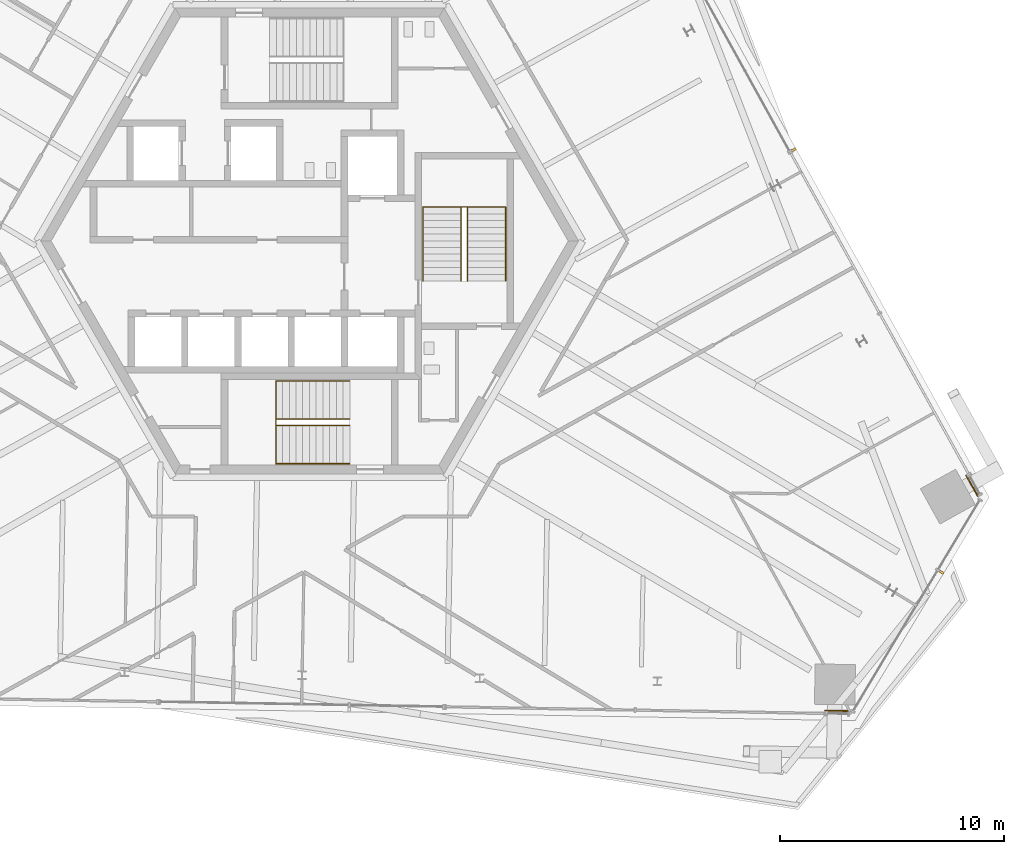
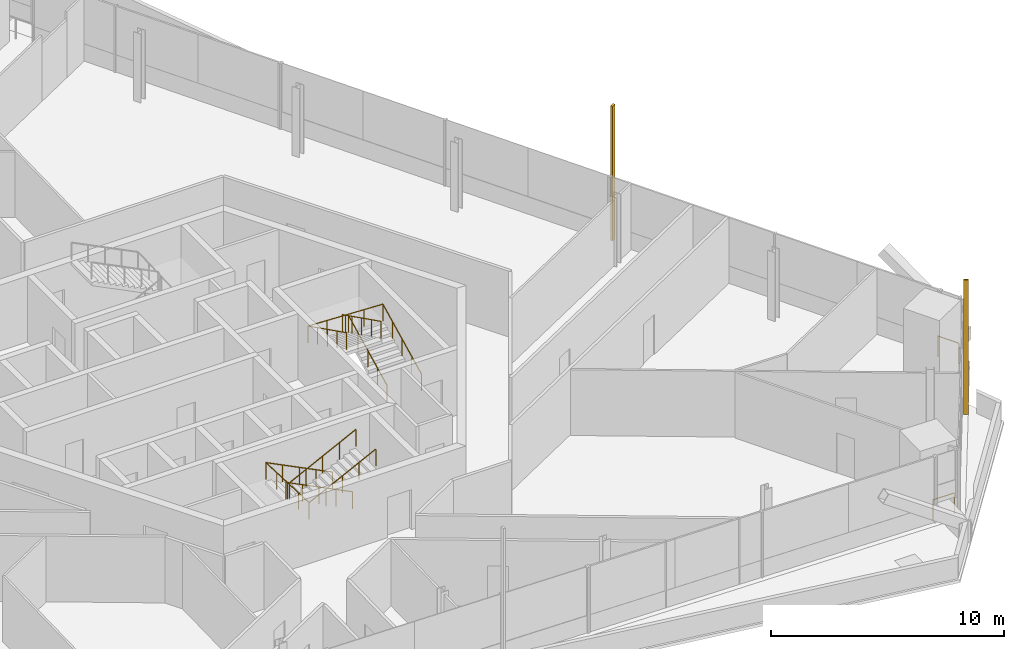
# One storey, part 20 of 22: 6 railings, 2 shading devices.
"""IFC4 building model written with IfcOpenShell, lengths in metres."""

from ifc_helpers import new_model, si_unit, direction, frame, origin, origin_2d, place, context, subcontext, project, spatial, rectangle, circle, extrude, source, transform, mapped, material, type_object, element, save


model = new_model("IFC4")

# Units and contexts
model_context = context("Model", 3, precision=1e-05, world=origin(), true_north=direction((0.0, 1.0)))
body_context = subcontext(model_context, "Body", "Model", "MODEL_VIEW")
ifc_project = project(units=[si_unit("LENGTHUNIT", "METRE"), si_unit("AREAUNIT", "SQUARE_METRE"), si_unit("VOLUMEUNIT", "CUBIC_METRE"), si_unit("PLANEANGLEUNIT", "RADIAN"), si_unit("MASSUNIT", "GRAM", prefix="KILO")], contexts=[model_context])

# Site, building, storey
site_placement = place(None, origin())
site = spatial("IfcSite", under=ifc_project, at=site_placement, CompositionType="ELEMENT")
building_placement = place(site_placement, origin())
building = spatial("IfcBuilding", under=site, at=building_placement, Name="Triune Harvest Tower", CompositionType="ELEMENT")
storey_placement = place(building_placement, frame((0.0, 0.0, 179.89990234375)))
storey = spatial("IfcBuildingStorey", under=building, at=storey_placement, Name="L46", CompositionType="ELEMENT", Elevation=179.89990234375)

# Railings
ifc_material_1 = material(Name="Glass", Category="glass")
railing_type_1 = type_object("IfcRailingType", Name="GD-3 facade guard 1100", PredefinedType="GUARDRAIL", material=ifc_material_1)
railing_1_placement = place(storey_placement, frame((29.808349609375, -11.381591796875, 0.0)))
element("IfcRailing", 1, at=railing_1_placement, inside=storey, type_object=railing_type_1, Name="Facade guard B5-F1 L46.1.1", PredefinedType="GUARDRAIL", context=body_context, shape_type="SweptSolid", body=[
    extrude(circle(Radius=0.02392578125, at=origin_2d()), frame((0.0, 0.0, 1.076171875), z_axis=(-0.48487046574, 0.874585977165, 0.0), x_axis=(-0.874585977165, -0.48487046574, 0.0)), (0.0, 0.0, 1.0), 1.046875),
    extrude(circle(Radius=0.02099609375, at=origin_2d()), origin(), (0.0, 0.0, 1.0), 1.052001953125),
    extrude(circle(Radius=0.02099609375, at=origin_2d()), frame((-0.507568359375, 0.91552734375, 0.0)), (0.0, 0.0, 1.0), 1.052001953125),
])
railing_2_placement = place(storey_placement, frame((22.996826171875, -20.95751953125, 0.0)))
element("IfcRailing", 2, at=railing_2_placement, inside=storey, type_object=railing_type_1, Name="Facade guard B5-F5 L46.1.2", PredefinedType="GUARDRAIL", context=body_context, shape_type="SweptSolid", body=[
    extrude(circle(Radius=0.02392578125, at=origin_2d()), frame((0.0, 0.0, 1.076171875), z_axis=(0.99984707329, -0.017487996851, 0.0), x_axis=(0.017487996851, 0.99984707329, 0.0)), (0.0, 0.0, 1.0), 1.047119140625),
    extrude(circle(Radius=0.02099609375, at=origin_2d()), origin(), (0.0, 0.0, 1.0), 1.052001953125),
    extrude(circle(Radius=0.02099609375, at=origin_2d()), frame((1.046875, -0.018310546875, 0.0)), (0.0, 0.0, 1.0), 1.052001953125),
])
ifc_material_2 = material(Name="Stainless steel AISI 316", Category="steel")
railing_type_2 = type_object("IfcRailingType", Name="Stair handrail", PredefinedType="HANDRAIL", material=ifc_material_2)
shared_shape_1 = source(origin(), body_context, "Body", "SweptSolid", [
    extrude(circle(Radius=0.02392578125, at=origin_2d()), frame((0.0, 0.0, 0.8759765625), z_axis=(-0.894440424912, 0.0, 0.447187126696), x_axis=(0.0, -1.0, 0.0)), (0.0, 0.0, 1.0), 3.689453125),
    extrude(circle(Radius=0.02392578125, at=origin_2d()), frame((-3.300048828125, 0.0, 2.52587890625), z_axis=(0.0, -0.999177620331, 0.040547293732), x_axis=(1.0, 0.0, 0.0)), (0.0, 0.0, 1.0), 3.702880859375),
    extrude(circle(Radius=0.02392578125, at=origin_2d()), frame((-3.300048828125, -3.699951171875, 2.67578125), z_axis=(0.894440424912, 0.0, 0.447187126696), x_axis=(0.0, 1.0, 0.0)), (0.0, 0.0, 1.0), 3.689453125),
    extrude(circle(Radius=0.02099609375, at=origin_2d()), origin(), (0.0, 0.0, 1.0), 0.851806640625),
    extrude(circle(Radius=0.02099609375, at=origin_2d()), frame((-0.824951171875, 0.0, 0.41259765625)), (0.0, 0.0, 1.0), 0.851806640625),
    extrude(circle(Radius=0.02099609375, at=origin_2d()), frame((-1.64990234375, 0.0, 0.824951171875)), (0.0, 0.0, 1.0), 0.851806640625),
    extrude(circle(Radius=0.02099609375, at=origin_2d()), frame((-2.47509765625, 0.0, 1.2373046875)), (0.0, 0.0, 1.0), 0.851806640625),
    extrude(circle(Radius=0.02099609375, at=origin_2d()), frame((-3.300048828125, 0.0, 1.64990234375)), (0.0, 0.0, 1.0), 0.851806640625),
    extrude(circle(Radius=0.02099609375, at=origin_2d()), frame((-3.300048828125, -0.925048828125, 1.6875)), (0.0, 0.0, 1.0), 0.851806640625),
    extrude(circle(Radius=0.02099609375, at=origin_2d()), frame((-3.300048828125, -1.85009765625, 1.72509765625)), (0.0, 0.0, 1.0), 0.851806640625),
    extrude(circle(Radius=0.02099609375, at=origin_2d()), frame((-3.300048828125, -2.77490234375, 1.762451171875)), (0.0, 0.0, 1.0), 0.851806640625),
    extrude(circle(Radius=0.02099609375, at=origin_2d()), frame((-3.300048828125, -3.699951171875, 1.800048828125)), (0.0, 0.0, 1.0), 0.851806640625),
    extrude(circle(Radius=0.02099609375, at=origin_2d()), frame((-2.47509765625, -3.699951171875, 2.21240234375)), (0.0, 0.0, 1.0), 0.851806640625),
    extrude(circle(Radius=0.02099609375, at=origin_2d()), frame((-1.64990234375, -3.699951171875, 2.625)), (0.0, 0.0, 1.0), 0.851806640625),
    extrude(circle(Radius=0.02099609375, at=origin_2d()), frame((-0.824951171875, -3.699951171875, 3.03759765625)), (0.0, 0.0, 1.0), 0.851806640625),
    extrude(circle(Radius=0.02099609375, at=origin_2d()), frame((0.0, -3.699951171875, 3.449951171875)), (0.0, 0.0, 1.0), 0.851806640625),
])
railing_3_placement = place(storey_placement, frame((1.7900390625, -6.239990234375, 0.150146484375)))
element("IfcRailing", 3, at=railing_3_placement, inside=storey, type_object=railing_type_2, Name="Exit stair south wall handrail", PredefinedType="HANDRAIL", context=body_context, shape_type="MappedRepresentation", body=[
    mapped(shared_shape_1, transform((0.0, 0.0, 0.0), scale=1.0)),
])
shared_shape_2 = source(origin(), body_context, "Body", "SweptSolid", [
    extrude(circle(Radius=0.02392578125, at=origin_2d()), frame((0.0, 0.0, 0.8759765625), z_axis=(-0.894440424912, 0.0, 0.447187126696), x_axis=(0.0, -1.0, 0.0)), (0.0, 0.0, 1.0), 3.689453125),
    extrude(circle(Radius=0.02392578125, at=origin_2d()), frame((-3.300048828125, 0.0, 2.52587890625), z_axis=(0.0, -0.894281613681, 0.447504631744), x_axis=(1.0, 0.0, 0.0)), (0.0, 0.0, 1.0), 0.33544921875),
    extrude(circle(Radius=0.02392578125, at=origin_2d()), frame((-3.300048828125, -0.300048828125, 2.67578125), z_axis=(0.894440424912, 0.0, 0.447187126696), x_axis=(0.0, 1.0, 0.0)), (0.0, 0.0, 1.0), 3.689453125),
    extrude(circle(Radius=0.02099609375, at=origin_2d()), origin(), (0.0, 0.0, 1.0), 0.851806640625),
    extrude(circle(Radius=0.02099609375, at=origin_2d()), frame((-0.824951171875, 0.0, 0.41259765625)), (0.0, 0.0, 1.0), 0.851806640625),
    extrude(circle(Radius=0.02099609375, at=origin_2d()), frame((-1.64990234375, 0.0, 0.824951171875)), (0.0, 0.0, 1.0), 0.851806640625),
    extrude(circle(Radius=0.02099609375, at=origin_2d()), frame((-2.47509765625, 0.0, 1.2373046875)), (0.0, 0.0, 1.0), 0.851806640625),
    extrude(circle(Radius=0.02099609375, at=origin_2d()), frame((-3.300048828125, 0.0, 1.64990234375)), (0.0, 0.0, 1.0), 0.851806640625),
    extrude(circle(Radius=0.02099609375, at=origin_2d()), frame((-3.300048828125, -0.300048828125, 1.800048828125)), (0.0, 0.0, 1.0), 0.851806640625),
    extrude(circle(Radius=0.02099609375, at=origin_2d()), frame((-2.47509765625, -0.300048828125, 2.21240234375)), (0.0, 0.0, 1.0), 0.851806640625),
    extrude(circle(Radius=0.02099609375, at=origin_2d()), frame((-1.64990234375, -0.300048828125, 2.625)), (0.0, 0.0, 1.0), 0.851806640625),
    extrude(circle(Radius=0.02099609375, at=origin_2d()), frame((-0.824951171875, -0.300048828125, 3.03759765625)), (0.0, 0.0, 1.0), 0.851806640625),
    extrude(circle(Radius=0.02099609375, at=origin_2d()), frame((0.0, -0.300048828125, 3.449951171875)), (0.0, 0.0, 1.0), 0.851806640625),
])
railing_4_placement = place(storey_placement, frame((1.7900390625, -7.93994140625, 0.150146484375)))
element("IfcRailing", 4, at=railing_4_placement, inside=storey, type_object=railing_type_2, Name="Exit stair south centre handrail", PredefinedType="HANDRAIL", context=body_context, shape_type="MappedRepresentation", body=[
    mapped(shared_shape_2, transform((0.0, 0.0, 0.0), scale=1.0)),
])
shared_shape_3 = source(origin(), body_context, "Body", "SweptSolid", [
    extrude(circle(Radius=0.02392578125, at=origin_2d()), frame((0.0, 0.0, 0.8759765625), z_axis=(0.0, 0.894440424912, 0.447187126696), x_axis=(-1.0, 0.0, 0.0)), (0.0, 0.0, 1.0), 3.689453125),
    extrude(circle(Radius=0.02392578125, at=origin_2d()), frame((0.0, 3.300048828125, 2.52587890625), z_axis=(-0.999177620331, 0.0, 0.040547293732), x_axis=(0.0, -1.0, 0.0)), (0.0, 0.0, 1.0), 3.702880859375),
    extrude(circle(Radius=0.02392578125, at=origin_2d()), frame((-3.699951171875, 3.300048828125, 2.67578125), z_axis=(0.0, -0.894440424912, 0.447187126696), x_axis=(1.0, 0.0, 0.0)), (0.0, 0.0, 1.0), 3.689453125),
    extrude(circle(Radius=0.02099609375, at=origin_2d()), origin(), (0.0, 0.0, 1.0), 0.851806640625),
    extrude(circle(Radius=0.02099609375, at=origin_2d()), frame((0.0, 0.824951171875, 0.41259765625)), (0.0, 0.0, 1.0), 0.851806640625),
    extrude(circle(Radius=0.02099609375, at=origin_2d()), frame((0.0, 1.64990234375, 0.824951171875)), (0.0, 0.0, 1.0), 0.851806640625),
    extrude(circle(Radius=0.02099609375, at=origin_2d()), frame((0.0, 2.47509765625, 1.2373046875)), (0.0, 0.0, 1.0), 0.851806640625),
    extrude(circle(Radius=0.02099609375, at=origin_2d()), frame((0.0, 3.300048828125, 1.64990234375)), (0.0, 0.0, 1.0), 0.851806640625),
    extrude(circle(Radius=0.02099609375, at=origin_2d()), frame((-0.925048828125, 3.300048828125, 1.6875)), (0.0, 0.0, 1.0), 0.851806640625),
    extrude(circle(Radius=0.02099609375, at=origin_2d()), frame((-1.85009765625, 3.300048828125, 1.72509765625)), (0.0, 0.0, 1.0), 0.851806640625),
    extrude(circle(Radius=0.02099609375, at=origin_2d()), frame((-2.77490234375, 3.300048828125, 1.762451171875)), (0.0, 0.0, 1.0), 0.851806640625),
    extrude(circle(Radius=0.02099609375, at=origin_2d()), frame((-3.699951171875, 3.300048828125, 1.800048828125)), (0.0, 0.0, 1.0), 0.851806640625),
    extrude(circle(Radius=0.02099609375, at=origin_2d()), frame((-3.699951171875, 2.47509765625, 2.21240234375)), (0.0, 0.0, 1.0), 0.851806640625),
    extrude(circle(Radius=0.02099609375, at=origin_2d()), frame((-3.699951171875, 1.64990234375, 2.625)), (0.0, 0.0, 1.0), 0.851806640625),
    extrude(circle(Radius=0.02099609375, at=origin_2d()), frame((-3.699951171875, 0.824951171875, 3.03759765625)), (0.0, 0.0, 1.0), 0.851806640625),
    extrude(circle(Radius=0.02099609375, at=origin_2d()), frame((-3.699951171875, 0.0, 3.449951171875)), (0.0, 0.0, 1.0), 0.851806640625),
])
railing_5_placement = place(storey_placement, frame((8.75, -1.7900390625, 0.150146484375)))
element("IfcRailing", 5, at=railing_5_placement, inside=storey, type_object=railing_type_2, Name="Exit stair east wall handrail", PredefinedType="HANDRAIL", context=body_context, shape_type="MappedRepresentation", body=[
    mapped(shared_shape_3, transform((0.0, 0.0, 0.0), scale=1.0)),
])
shared_shape_4 = source(origin(), body_context, "Body", "SweptSolid", [
    extrude(circle(Radius=0.02392578125, at=origin_2d()), frame((0.0, 0.0, 0.8759765625), z_axis=(0.0, 0.894440424912, 0.447187126696), x_axis=(-1.0, 0.0, 0.0)), (0.0, 0.0, 1.0), 3.689453125),
    extrude(circle(Radius=0.02392578125, at=origin_2d()), frame((0.0, 3.300048828125, 2.52587890625), z_axis=(-0.894281613681, 0.0, 0.447504631744), x_axis=(0.0, -1.0, 0.0)), (0.0, 0.0, 1.0), 0.33544921875),
    extrude(circle(Radius=0.02392578125, at=origin_2d()), frame((-0.300048828125, 3.300048828125, 2.67578125), z_axis=(0.0, -0.894440424912, 0.447187126696), x_axis=(1.0, 0.0, 0.0)), (0.0, 0.0, 1.0), 3.689453125),
    extrude(circle(Radius=0.02099609375, at=origin_2d()), origin(), (0.0, 0.0, 1.0), 0.851806640625),
    extrude(circle(Radius=0.02099609375, at=origin_2d()), frame((0.0, 0.824951171875, 0.41259765625)), (0.0, 0.0, 1.0), 0.851806640625),
    extrude(circle(Radius=0.02099609375, at=origin_2d()), frame((0.0, 1.64990234375, 0.824951171875)), (0.0, 0.0, 1.0), 0.851806640625),
    extrude(circle(Radius=0.02099609375, at=origin_2d()), frame((0.0, 2.47509765625, 1.2373046875)), (0.0, 0.0, 1.0), 0.851806640625),
    extrude(circle(Radius=0.02099609375, at=origin_2d()), frame((0.0, 3.300048828125, 1.64990234375)), (0.0, 0.0, 1.0), 0.851806640625),
    extrude(circle(Radius=0.02099609375, at=origin_2d()), frame((-0.300048828125, 3.300048828125, 1.800048828125)), (0.0, 0.0, 1.0), 0.851806640625),
    extrude(circle(Radius=0.02099609375, at=origin_2d()), frame((-0.300048828125, 2.47509765625, 2.21240234375)), (0.0, 0.0, 1.0), 0.851806640625),
    extrude(circle(Radius=0.02099609375, at=origin_2d()), frame((-0.300048828125, 1.64990234375, 2.625)), (0.0, 0.0, 1.0), 0.851806640625),
    extrude(circle(Radius=0.02099609375, at=origin_2d()), frame((-0.300048828125, 0.824951171875, 3.03759765625)), (0.0, 0.0, 1.0), 0.851806640625),
    extrude(circle(Radius=0.02099609375, at=origin_2d()), frame((-0.300048828125, 0.0, 3.449951171875)), (0.0, 0.0, 1.0), 0.851806640625),
])
railing_6_placement = place(storey_placement, frame((7.050048828125, -1.7900390625, 0.150146484375)))
element("IfcRailing", 6, at=railing_6_placement, inside=storey, type_object=railing_type_2, Name="Exit stair east centre handrail", PredefinedType="HANDRAIL", context=body_context, shape_type="MappedRepresentation", body=[
    mapped(shared_shape_4, transform((0.0, 0.0, 0.0), scale=1.0)),
])

# Shading devices
ifc_material_3 = material(Name="Aluminium bronze anodised", Category="aluminium")
shared_shape_5 = source(origin(), body_context, "Body", "SweptSolid", [
    extrude(rectangle(XDim=0.10009765625, YDim=0.199951171875, at=origin_2d()), origin(), (0.0, 0.0, 1.0), 7.0400390625),
])
for number, where, z_axis, x_axis, name in (
    (7, (21.61083984375, 4.075439453125, 0.0), (0.0, 0.0, 1.0), (-0.48480848305, 0.874620337497, 0.0), "FN-1 fin B5-F1.5 L46"),
    (8, (28.197998046875, -14.784912109375, 0.0), (0.0, 0.0, 1.0), (0.515036685882, 0.857168135313, 0.0), "FN-1 fin B5-F6.3 L46"),
):
    element("IfcShadingDevice", number, at=place(storey_placement, frame(where, z_axis=z_axis, x_axis=x_axis)), inside=storey, material=ifc_material_3, Name=name, ObjectType="FIN", PredefinedType="USERDEFINED", context=body_context, shape_type="MappedRepresentation", body=[
        mapped(shared_shape_5, transform((0.0, 0.0, 0.0), scale=1.0)),
    ])

save(model, "model.ifc")
